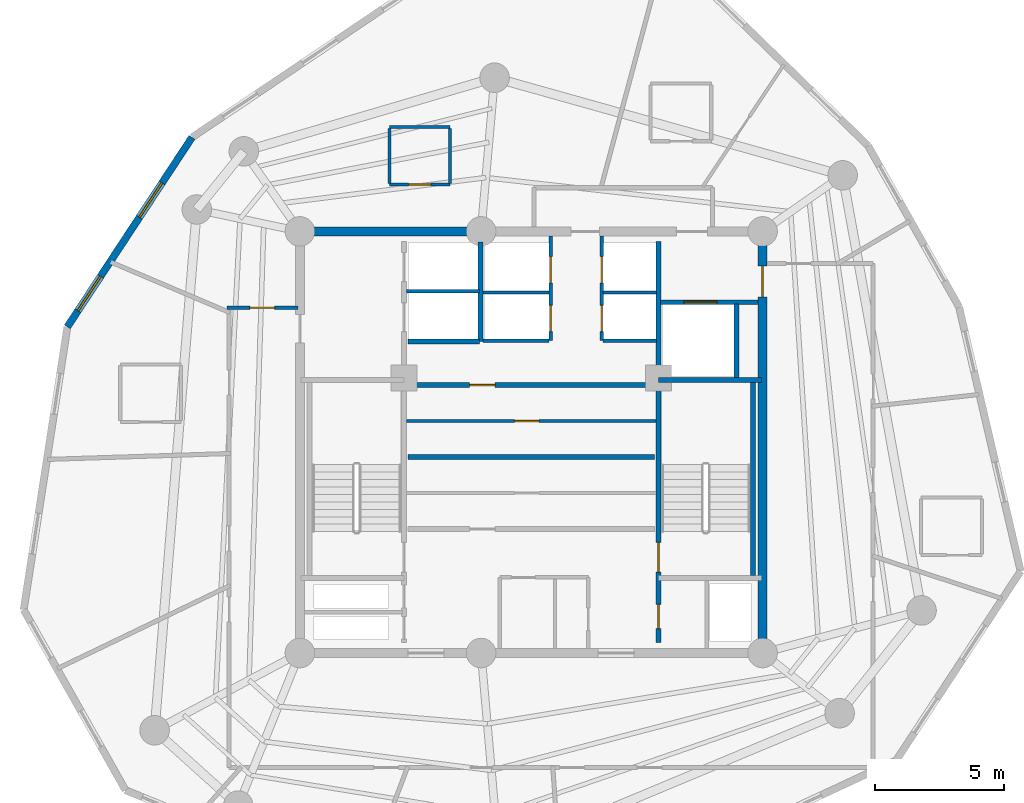
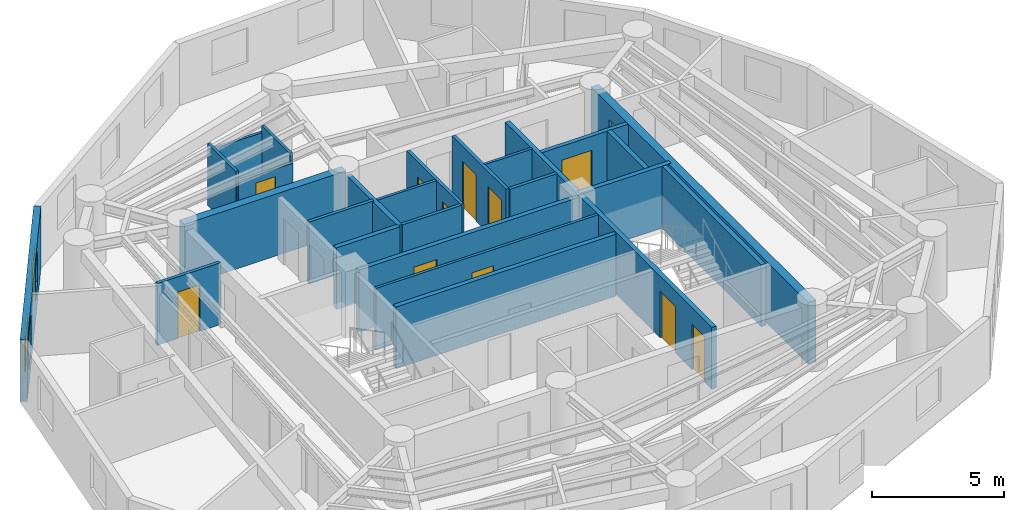
# One storey, part 4 of 7: 25 walls, 12 doors, 2 windows, 14 openings.
"""IFC4 building model written with IfcOpenShell, lengths in metres."""

from ifc_helpers import new_model, si_unit, direction, frame, frame_2d, origin, origin_with_axes, place, context, subcontext, project, spatial, rectangle, extrude, source, transform, mapped, material, layer, layer_set, type_object, element, fill, save


model = new_model("IFC4")

# Units and contexts
model_context = context("Model", 3, precision=1e-05, world=origin(), true_north=direction((0.0, 1.0)))
body_context = subcontext(model_context, "Body", "Model", "MODEL_VIEW")
ifc_project = project(units=[si_unit("LENGTHUNIT", "METRE"), si_unit("AREAUNIT", "SQUARE_METRE"), si_unit("VOLUMEUNIT", "CUBIC_METRE"), si_unit("PLANEANGLEUNIT", "RADIAN"), si_unit("MASSUNIT", "GRAM", prefix="KILO")], contexts=[model_context])

# Site, building, storey
site_placement = place(None, origin())
site = spatial("IfcSite", under=ifc_project, at=site_placement, CompositionType="ELEMENT")
building_placement = place(site_placement, origin())
building = spatial("IfcBuilding", under=site, at=building_placement, Name="Karkom Vertical University and Central Library", CompositionType="ELEMENT")
storey_placement = place(building_placement, frame((0.0, 0.0, 259.60009765625)))
storey = spatial("IfcBuildingStorey", under=building, at=storey_placement, Name="L77", CompositionType="ELEMENT", Elevation=259.60009765625)

# Wall, openings, windows
ifc_material_1 = material(Name="Brick-faced precast concrete C45/55", Category="masonry")
ifc_layer_1 = layer(ifc_material_1, 0.280029296875)
ifc_layer_set_1 = layer_set([ifc_layer_1], Name="Brick-faced precast concrete C45/55")
wall_type_1 = type_object("IfcWallType", Name="ENV-WL-BRK-280", PredefinedType="SOLIDWALL", material=ifc_layer_set_1)
wall_1_placement = place(storey_placement, frame((15.3046875, 38.36083984375, 0.0), z_axis=(0.0, 0.0, 1.0), x_axis=(-0.549584503809, -0.835438132463, 0.0)))
wall_1 = element("IfcWall", 1, at=wall_1_placement, inside=storey, type_object=wall_type_1, Name="Level 77 Brick-Faced Precast Facade Wall 11", PredefinedType="SOLIDWALL", context=body_context, shape_type="SweptSolid", body=[
    extrude(rectangle(XDim=8.82861328125, YDim=0.280029296875, at=frame_2d((4.414306640625, 0.0))), origin(), (0.0, 0.0, 1.0), 2.849853515625),
])
opening_1_placement = place(wall_1_placement, frame((2.12255859375, 0.0, 0.85009765625)))
opening_1 = element("IfcOpeningElement", 2, at=opening_1_placement, cuts=wall_1, Name="Opening WN-10", PredefinedType="OPENING", context=body_context, shape_type="SweptSolid", body=[
    extrude(rectangle(XDim=1.60009765625, YDim=1.60009765625, at=frame_2d((0.800048828125, 0.800048828125))), frame((0.0, 0.14990234375, 0.0), z_axis=(0.0, -1.0, 0.0), x_axis=(1.0, 0.0, 0.0)), (0.0, 0.0, 1.0), 0.300048828125),
])
opening_2_placement = place(wall_1_placement, frame((6.476806640625, 0.0, 0.85009765625)))
opening_2 = element("IfcOpeningElement", 3, at=opening_2_placement, cuts=wall_1, Name="Opening WN-10", PredefinedType="OPENING", context=body_context, shape_type="SweptSolid", body=[
    extrude(rectangle(XDim=1.60009765625, YDim=1.60009765625, at=frame_2d((0.800048828125, 0.800048828125))), frame((0.0, 0.14990234375, 0.0), z_axis=(0.0, -1.0, 0.0), x_axis=(1.0, 0.0, 0.0)), (0.0, 0.0, 1.0), 0.300048828125),
])
ifc_material_2 = material(Name="Aluminium thermal-break frame with solar-control IGU", Category="aluminium")
window_type = type_object("IfcWindowType", Name="ENV-WIN-WN-10", PartitioningType="SINGLE_PANEL", PredefinedType="WINDOW", material=ifc_material_2)
shared_shape_1 = source(origin_with_axes(), body_context, "Body", "SweptSolid", [
    extrude(rectangle(XDim=1.60009765625, YDim=1.60009765625, at=frame_2d((0.800048828125, 0.800048828125))), frame((0.0, 0.030029296875, 0.0), z_axis=(0.0, -1.0, 0.0), x_axis=(1.0, 0.0, 0.0)), (0.0, 0.0, 1.0), 0.06005859375),
])
window_1_placement = place(opening_1_placement, origin())
window_1 = element("IfcWindow", 4, at=window_1_placement, inside=storey, type_object=window_type, Name="Level 77 Punched Window 11.1", OverallHeight=1.60009765625, OverallWidth=1.60009765625, PartitioningType="SINGLE_PANEL", PredefinedType="WINDOW", context=body_context, shape_type="MappedRepresentation", body=[
    mapped(shared_shape_1, transform((0.0, 0.0, 0.0), scale=1.0)),
])
fill(opening_1, window_1)
window_2_placement = place(opening_2_placement, origin())
window_2 = element("IfcWindow", 5, at=window_2_placement, inside=storey, type_object=window_type, Name="Level 77 Punched Window 11.2", OverallHeight=1.60009765625, OverallWidth=1.60009765625, PartitioningType="SINGLE_PANEL", PredefinedType="WINDOW", context=body_context, shape_type="MappedRepresentation", body=[
    mapped(shared_shape_1, transform((0.0, 0.0, 0.0), scale=1.0)),
])
fill(opening_2, window_2)

# Wall, opening, door
ifc_material_3 = material(Name="Moisture-resistant drywall 120mm", Category="gypsum")
ifc_layer_2 = layer(ifc_material_3, 0.1201171875)
ifc_layer_set_2 = layer_set([ifc_layer_2], Name="Moisture-resistant drywall 120mm")
wall_type_2 = type_object("IfcWallType", Name="INT-WL-INT-120F", PredefinedType="PARTITIONING", material=ifc_layer_set_2)
wall_2_placement = place(storey_placement, frame((23.652099609375, 27.320068359375, 0.0), z_axis=(0.0, 0.0, 1.0), x_axis=(1.0, 0.0, 0.0)))
wall_2 = element("IfcWall", 6, at=wall_2_placement, inside=storey, type_object=wall_type_2, Name="Level 77 Interior Partition Wall L77-CW-B2-K3H", PredefinedType="PARTITIONING", context=body_context, shape_type="SweptSolid", body=[
    extrude(rectangle(XDim=9.697509765625, YDim=0.1201171875, at=frame_2d((4.8486328125, 0.0))), origin(), (0.0, 0.0, 1.0), 2.849853515625),
])
opening_3_placement = place(wall_2_placement, frame((4.199951171875, 0.0, 0.0)))
opening_3 = element("IfcOpeningElement", 7, at=opening_3_placement, cuts=wall_2, Name="Opening D-WC1", PredefinedType="OPENING", context=body_context, shape_type="SweptSolid", body=[
    extrude(rectangle(XDim=0.93994140625, YDim=2.10009765625, at=frame_2d((0.469970703125, 1.050048828125))), frame((0.0, 0.070068359375, 0.0), z_axis=(0.0, -1.0, 0.0), x_axis=(1.0, 0.0, 0.0)), (0.0, 0.0, 1.0), 0.14013671875),
])
ifc_material_4 = material(Name="Fire-rated laminate moisture-resistant door", Category="wood")
door_type_1 = type_object("IfcDoorType", Name="INT-DR-WC1", OperationType="NOTDEFINED", PredefinedType="DOOR", material=ifc_material_4)
shared_shape_2 = source(origin_with_axes(), body_context, "Body", "SweptSolid", [
    extrude(rectangle(XDim=0.93994140625, YDim=2.10009765625, at=frame_2d((0.469970703125, 1.050048828125))), frame((0.0, 0.02490234375, 0.0), z_axis=(0.0, -1.0, 0.0), x_axis=(1.0, 0.0, 0.0)), (0.0, 0.0, 1.0), 0.050048828125),
])
door_1_placement = place(opening_3_placement, origin())
door_1 = element("IfcDoor", 8, at=door_1_placement, inside=storey, type_object=door_type_1, Name="Level 77 B2 Core WC Strip Door", OperationType="SINGLE_SWING_RIGHT", OverallHeight=2.10009765625, OverallWidth=0.93994140625, PredefinedType="DOOR", context=body_context, shape_type="MappedRepresentation", body=[
    mapped(shared_shape_2, transform((0.0, 0.0, 0.0), scale=1.0)),
])
fill(opening_3, door_1)

wall_3_placement = place(storey_placement, frame((22.985107421875, 36.51904296875, 0.0), z_axis=(0.0, 0.0, 1.0), x_axis=(1.0, 0.0, 0.0)))
wall_3 = element("IfcWall", 9, at=wall_3_placement, inside=storey, type_object=wall_type_2, Name="Level 77 Interior Partition Wall L77-ENS-49-S", PredefinedType="PARTITIONING", context=body_context, shape_type="SweptSolid", body=[
    extrude(rectangle(XDim=2.35986328125, YDim=0.1201171875, at=frame_2d((1.179931640625, 0.0))), origin(), (0.0, 0.0, 1.0), 2.449951171875),
])
opening_4_placement = place(wall_3_placement, frame((0.75, 0.0, 0.0)))
opening_4 = element("IfcOpeningElement", 10, at=opening_4_placement, cuts=wall_3, Name="Opening D-BATH", PredefinedType="OPENING", context=body_context, shape_type="SweptSolid", body=[
    extrude(rectangle(XDim=0.860107421875, YDim=2.10009765625, at=frame_2d((0.43017578125, 1.050048828125))), frame((0.0, 0.070068359375, 0.0), z_axis=(0.0, -1.0, 0.0), x_axis=(1.0, 0.0, 0.0)), (0.0, 0.0, 1.0), 0.14013671875),
])
ifc_material_5 = material(Name="Moisture-resistant oak door", Category="wood")
door_type_2 = type_object("IfcDoorType", Name="INT-DR-BATH", OperationType="NOTDEFINED", PredefinedType="DOOR", material=ifc_material_5)
shared_shape_3 = source(origin_with_axes(), body_context, "Body", "SweptSolid", [
    extrude(rectangle(XDim=0.860107421875, YDim=2.10009765625, at=frame_2d((0.43017578125, 1.050048828125))), frame((0.0, 0.02490234375, 0.0), z_axis=(0.0, -1.0, 0.0), x_axis=(1.0, 0.0, 0.0)), (0.0, 0.0, 1.0), 0.050048828125),
])
door_2_placement = place(opening_4_placement, origin())
door_2 = element("IfcDoor", 11, at=door_2_placement, inside=storey, type_object=door_type_2, Name="Level 77 En-Suite Bathroom Door 49", OperationType="SINGLE_SWING_LEFT", OverallHeight=2.10009765625, OverallWidth=0.860107421875, PredefinedType="DOOR", context=body_context, shape_type="MappedRepresentation", body=[
    mapped(shared_shape_3, transform((0.0, 0.0, 0.0), scale=1.0)),
])
fill(opening_4, door_2)

# Walls
wall_4_placement = place(storey_placement, frame((25.344970703125, 38.759033203125, 0.0), z_axis=(0.0, 0.0, 1.0), x_axis=(-1.0, 0.0, 0.0)))
element("IfcWall", 12, at=wall_4_placement, inside=storey, type_object=wall_type_2, Name="Level 77 Interior Partition Wall L77-ENS-49-N", PredefinedType="PARTITIONING", context=body_context, shape_type="SweptSolid", body=[
    extrude(rectangle(XDim=2.35986328125, YDim=0.1201171875, at=frame_2d((1.179931640625, 0.0))), origin(), (0.0, 0.0, 1.0), 2.52001953125),
])
for number, where, z_axis, x_axis, name in (
    (13, (25.344970703125, 36.569091796875, 0.0), (0.0, 0.0, 1.0), (0.0, 1.0, 0.0), "Level 77 Interior Partition Wall L77-ENS-49-E"),
    (14, (22.985107421875, 38.708984375, 0.0), (0.0, 0.0, 1.0), (0.0, -1.0, 0.0), "Level 77 Interior Partition Wall L77-ENS-49-W"),
):
    element("IfcWall", number, at=place(storey_placement, frame(where, z_axis=z_axis, x_axis=x_axis)), inside=storey, type_object=wall_type_2, Name=name, PredefinedType="PARTITIONING", context=body_context, shape_type="SweptSolid", body=[
        extrude(rectangle(XDim=2.139892578125, YDim=0.1201171875, at=frame_2d((1.06982421875, 0.0))), origin(), (0.0, 0.0, 1.0), 2.849853515625),
    ])
ifc_layer_3 = layer(ifc_material_3, 0.1201171875)
ifc_layer_set_3 = layer_set([ifc_layer_3], Name="Moisture-resistant drywall 120mm")
wall_type_3 = type_object("IfcWallType", Name="INT-WL-INT-120H", PredefinedType="PARTITIONING", material=ifc_layer_set_3)
wall_5_placement = place(storey_placement, frame((26.6201171875, 32.320068359375, 0.0), z_axis=(0.0, 0.0, 1.0), x_axis=(1.0, 0.0, 0.0)))
element("IfcWall", 15, at=wall_5_placement, inside=storey, type_object=wall_type_3, Name="Level 77 Interior Partition Wall L77-CW-PH-MW", PredefinedType="PARTITIONING", context=body_context, shape_type="SweptSolid", body=[
    extrude(rectangle(XDim=2.579833984375, YDim=0.1201171875, at=frame_2d((1.2900390625, 0.0))), origin(), (0.0, 0.0, 1.0), 2.849853515625),
])
wall_6_placement = place(storey_placement, frame((31.300048828125, 32.320068359375, 0.0), z_axis=(0.0, 0.0, 1.0), x_axis=(1.0, 0.0, 0.0)))
element("IfcWall", 16, at=wall_6_placement, inside=storey, type_object=wall_type_3, Name="Level 77 Interior Partition Wall L77-CW-PH-ME", PredefinedType="PARTITIONING", context=body_context, shape_type="SweptSolid", body=[
    extrude(rectangle(XDim=2.074951171875, YDim=0.1201171875, at=frame_2d((1.03759765625, 0.0))), origin(), (0.0, 0.0, 1.0), 2.849853515625),
])

# Wall, opening, door
ifc_material_6 = material(Name="Metal-stud gypsum partition 140mm", Category="gypsum")
ifc_layer_4 = layer(ifc_material_6, 0.139892578125)
ifc_layer_set_4 = layer_set([ifc_layer_4], Name="Metal-stud gypsum partition 140mm")
wall_type_4 = type_object("IfcWallType", Name="INT-WL-SUB-140", PredefinedType="PARTITIONING", material=ifc_layer_set_4)
wall_7_placement = place(storey_placement, frame((19.419921875, 31.72998046875, 0.0), z_axis=(0.0, 0.0, 1.0), x_axis=(-1.0, 0.0, 0.0)))
wall_7 = element("IfcWall", 17, at=wall_7_placement, inside=storey, type_object=wall_type_4, Name="Level 77 Interior Partition Wall L77-CWALL-418", PredefinedType="PARTITIONING", context=body_context, shape_type="SweptSolid", body=[
    extrude(rectangle(XDim=2.75, YDim=0.139892578125, at=frame_2d((1.375, 0.0))), origin(), (0.0, 0.0, 1.0), 2.849853515625),
])
opening_5_placement = place(wall_7_placement, frame((0.89990234375, 0.0, 0.0)))
opening_5 = element("IfcOpeningElement", 18, at=opening_5_placement, cuts=wall_7, Name="Opening FD-RM2", PredefinedType="OPENING", context=body_context, shape_type="SweptSolid", body=[
    extrude(rectangle(XDim=0.9599609375, YDim=2.14990234375, at=frame_2d((0.47998046875, 1.074951171875))), frame((0.0, 0.080078125, 0.0), z_axis=(0.0, -1.0, 0.0), x_axis=(1.0, 0.0, 0.0)), (0.0, 0.0, 1.0), 0.159912109375),
])
ifc_material_7 = material(Name="Fire-rated oak veneer door", Category="wood")
door_type_3 = type_object("IfcDoorType", Name="INT-DR-FRM2", OperationType="NOTDEFINED", PredefinedType="DOOR", material=ifc_material_7)
shared_shape_4 = source(origin_with_axes(), body_context, "Body", "SweptSolid", [
    extrude(rectangle(XDim=0.9599609375, YDim=2.14990234375, at=frame_2d((0.47998046875, 1.074951171875))), frame((0.0, 0.02490234375, 0.0), z_axis=(0.0, -1.0, 0.0), x_axis=(1.0, 0.0, 0.0)), (0.0, 0.0, 1.0), 0.050048828125),
])
door_3_placement = place(opening_5_placement, origin())
door_3 = element("IfcDoor", 19, at=door_3_placement, inside=storey, type_object=door_type_3, Name="Level 77 Room Entry Door 418", OperationType="SINGLE_SWING_RIGHT", OverallHeight=2.14990234375, OverallWidth=0.9599609375, PredefinedType="DOOR", context=body_context, shape_type="MappedRepresentation", body=[
    mapped(shared_shape_4, transform((0.0, 0.0, 0.0), scale=1.0)),
])
fill(opening_5, door_3)

# Wall, openings, doors
ifc_layer_5 = layer(ifc_material_6, 0.139892578125)
ifc_layer_set_5 = layer_set([ifc_layer_5], Name="Metal-stud gypsum partition 140mm")
wall_type_5 = type_object("IfcWallType", Name="INT-WL-SUB-140H", PredefinedType="PARTITIONING", material=ifc_layer_set_5)
wall_8_placement = place(storey_placement, frame((29.260009765625, 30.449951171875, 0.0), z_axis=(0.0, 0.0, 1.0), x_axis=(0.0, 1.0, 0.0)))
wall_8 = element("IfcWall", 20, at=wall_8_placement, inside=storey, type_object=wall_type_5, Name="Level 77 Interior Partition Wall L77-CW-PH-W", PredefinedType="PARTITIONING", context=body_context, shape_type="SweptSolid", body=[
    extrude(rectangle(XDim=4.068115234375, YDim=0.139892578125, at=frame_2d((2.0341796875, 0.0))), origin(), (0.0, 0.0, 1.0), 2.849853515625),
])
opening_6_placement = place(wall_8_placement, frame((0.35009765625, 0.0, 0.0)))
opening_6 = element("IfcOpeningElement", 21, at=opening_6_placement, cuts=wall_8, Name="Opening LD-PH", PredefinedType="OPENING", context=body_context, shape_type="SweptSolid", body=[
    extrude(rectangle(XDim=1.02001953125, YDim=2.14990234375, at=frame_2d((0.510009765625, 1.074951171875))), frame((0.0, 0.080078125, 0.0), z_axis=(0.0, -1.0, 0.0), x_axis=(1.0, 0.0, 0.0)), (0.0, 0.0, 1.0), 0.159912109375),
])
opening_7_placement = place(wall_8_placement, frame((2.25, 0.0, 0.0)))
opening_7 = element("IfcOpeningElement", 22, at=opening_7_placement, cuts=wall_8, Name="Opening LD-PH", PredefinedType="OPENING", context=body_context, shape_type="SweptSolid", body=[
    extrude(rectangle(XDim=1.02001953125, YDim=2.14990234375, at=frame_2d((0.510009765625, 1.074951171875))), frame((0.0, 0.080078125, 0.0), z_axis=(0.0, -1.0, 0.0), x_axis=(1.0, 0.0, 0.0)), (0.0, 0.0, 1.0), 0.159912109375),
])
ifc_material_8 = material(Name="Brushed stainless-steel landing door", Category="steel")
door_type_4 = type_object("IfcDoorType", Name="INT-DR-LD-PH", OperationType="SLIDING_TO_LEFT", PredefinedType="DOOR", material=ifc_material_8)
shared_shape_5 = source(origin_with_axes(), body_context, "Body", "SweptSolid", [
    extrude(rectangle(XDim=1.02001953125, YDim=2.14990234375, at=frame_2d((0.510009765625, 1.074951171875))), frame((0.0, 0.02490234375, 0.0), z_axis=(0.0, -1.0, 0.0), x_axis=(1.0, 0.0, 0.0)), (0.0, 0.0, 1.0), 0.050048828125),
])
door_4_placement = place(opening_6_placement, origin())
door_4 = element("IfcDoor", 23, at=door_4_placement, inside=storey, type_object=door_type_4, Name="Level 77 Lift PH-1 Landing Door", OperationType="SLIDING_TO_LEFT", OverallHeight=2.14990234375, OverallWidth=1.02001953125, PredefinedType="DOOR", context=body_context, shape_type="MappedRepresentation", body=[
    mapped(shared_shape_5, transform((0.0, 0.0, 0.0), scale=1.0)),
])
fill(opening_6, door_4)
door_5_placement = place(opening_7_placement, origin())
door_5 = element("IfcDoor", 24, at=door_5_placement, inside=storey, type_object=door_type_4, Name="Level 77 Lift PH-2 Landing Door", OperationType="SLIDING_TO_LEFT", OverallHeight=2.14990234375, OverallWidth=1.02001953125, PredefinedType="DOOR", context=body_context, shape_type="MappedRepresentation", body=[
    mapped(shared_shape_5, transform((0.0, 0.0, 0.0), scale=1.0)),
])
fill(opening_7, door_5)

wall_9_placement = place(storey_placement, frame((31.239990234375, 30.449951171875, 0.0), z_axis=(0.0, 0.0, 1.0), x_axis=(0.0, 1.0, 0.0)))
wall_9 = element("IfcWall", 25, at=wall_9_placement, inside=storey, type_object=wall_type_5, Name="Level 77 Interior Partition Wall L77-CW-PH-E", PredefinedType="PARTITIONING", context=body_context, shape_type="SweptSolid", body=[
    extrude(rectangle(XDim=4.068115234375, YDim=0.139892578125, at=frame_2d((2.0341796875, 0.0))), origin(), (0.0, 0.0, 1.0), 2.849853515625),
])
opening_8_placement = place(wall_9_placement, frame((0.35009765625, 0.0, 0.0)))
opening_8 = element("IfcOpeningElement", 26, at=opening_8_placement, cuts=wall_9, Name="Opening LD-PH", PredefinedType="OPENING", context=body_context, shape_type="SweptSolid", body=[
    extrude(rectangle(XDim=1.02001953125, YDim=2.14990234375, at=frame_2d((0.510009765625, 1.074951171875))), frame((0.0, 0.080078125, 0.0), z_axis=(0.0, -1.0, 0.0), x_axis=(1.0, 0.0, 0.0)), (0.0, 0.0, 1.0), 0.159912109375),
])
opening_9_placement = place(wall_9_placement, frame((2.25, 0.0, 0.0)))
opening_9 = element("IfcOpeningElement", 27, at=opening_9_placement, cuts=wall_9, Name="Opening LD-PH", PredefinedType="OPENING", context=body_context, shape_type="SweptSolid", body=[
    extrude(rectangle(XDim=1.02001953125, YDim=2.14990234375, at=frame_2d((0.510009765625, 1.074951171875))), frame((0.0, 0.080078125, 0.0), z_axis=(0.0, -1.0, 0.0), x_axis=(1.0, 0.0, 0.0)), (0.0, 0.0, 1.0), 0.159912109375),
])
door_6_placement = place(opening_8_placement, origin())
door_6 = element("IfcDoor", 28, at=door_6_placement, inside=storey, type_object=door_type_4, Name="Level 77 Lift PH-3 Landing Door", OperationType="SLIDING_TO_LEFT", OverallHeight=2.14990234375, OverallWidth=1.02001953125, PredefinedType="DOOR", context=body_context, shape_type="MappedRepresentation", body=[
    mapped(shared_shape_5, transform((0.0, 0.0, 0.0), scale=1.0)),
])
fill(opening_8, door_6)
door_7_placement = place(opening_9_placement, origin())
door_7 = element("IfcDoor", 29, at=door_7_placement, inside=storey, type_object=door_type_4, Name="Level 77 Lift PH-4 Landing Door", OperationType="SLIDING_TO_LEFT", OverallHeight=2.14990234375, OverallWidth=1.02001953125, PredefinedType="DOOR", context=body_context, shape_type="MappedRepresentation", body=[
    mapped(shared_shape_5, transform((0.0, 0.0, 0.0), scale=1.0)),
])
fill(opening_9, door_7)

# Walls
wall_10_placement = place(storey_placement, frame((26.6201171875, 30.449951171875, 0.0), z_axis=(0.0, 0.0, 1.0), x_axis=(1.0, 0.0, 0.0)))
element("IfcWall", 30, at=wall_10_placement, inside=storey, type_object=wall_type_5, Name="Level 77 Interior Partition Wall L77-CW-PH-S1", PredefinedType="PARTITIONING", context=body_context, shape_type="SweptSolid", body=[
    extrude(rectangle(XDim=2.579833984375, YDim=0.139892578125, at=frame_2d((1.2900390625, 0.0))), origin(), (0.0, 0.0, 1.0), 2.849853515625),
])
wall_11_placement = place(storey_placement, frame((31.300048828125, 30.449951171875, 0.0), z_axis=(0.0, 0.0, 1.0), x_axis=(1.0, 0.0, 0.0)))
element("IfcWall", 31, at=wall_11_placement, inside=storey, type_object=wall_type_5, Name="Level 77 Interior Partition Wall L77-CW-PH-S2", PredefinedType="PARTITIONING", context=body_context, shape_type="SweptSolid", body=[
    extrude(rectangle(XDim=2.074951171875, YDim=0.139892578125, at=frame_2d((1.03759765625, 0.0))), origin(), (0.0, 0.0, 1.0), 2.849853515625),
])
ifc_layer_6 = layer(ifc_material_6, 0.139892578125)
ifc_layer_set_6 = layer_set([ifc_layer_6], Name="Metal-stud gypsum partition 140mm")
wall_type_6 = type_object("IfcWallType", Name="INT-WL-SUB-140X", PredefinedType="PARTITIONING", material=ifc_layer_set_6)
wall_12_placement = place(storey_placement, frame((23.652099609375, 32.3701171875, 0.0), z_axis=(0.0, 0.0, 1.0), x_axis=(1.0, 0.0, 0.0)))
element("IfcWall", 32, at=wall_12_placement, inside=storey, type_object=wall_type_6, Name="Level 77 Interior Partition Wall L77-CW-FFL-M", PredefinedType="PARTITIONING", context=body_context, shape_type="SweptSolid", body=[
    extrude(rectangle(XDim=2.827880859375, YDim=0.139892578125, at=frame_2d((1.4140625, 0.0))), origin(), (0.0, 0.0, 1.0), 2.849853515625),
])

# Wall, opening, door
ifc_material_9 = material(Name="Twin-stud acoustic drywall 180mm", Category="gypsum")
ifc_layer_7 = layer(ifc_material_9, 0.179931640625)
ifc_layer_set_7 = layer_set([ifc_layer_7], Name="Twin-stud acoustic drywall 180mm")
wall_type_7 = type_object("IfcWallType", Name="INT-WL-TEN-180F", PredefinedType="PARTITIONING", material=ifc_layer_set_7)
wall_13_placement = place(storey_placement, frame((33.534912109375, 31.949951171875, 0.0), z_axis=(0.0, 0.0, 1.0), x_axis=(1.0, 0.0, 0.0)))
wall_13 = element("IfcWall", 33, at=wall_13_placement, inside=storey, type_object=wall_type_7, Name="Level 77 Interior Partition Wall L77-CW-SVL-N", PredefinedType="PARTITIONING", context=body_context, shape_type="SweptSolid", body=[
    extrude(rectangle(XDim=3.783935546875, YDim=0.179931640625, at=frame_2d((1.89208984375, 0.0))), origin(), (0.0, 0.0, 1.0), 2.849853515625),
])
opening_10_placement = place(wall_13_placement, frame((0.89990234375, 0.0, 0.0)))
opening_10 = element("IfcOpeningElement", 34, at=opening_10_placement, cuts=wall_13, Name="Opening LD-SV1", PredefinedType="OPENING", context=body_context, shape_type="SweptSolid", body=[
    extrude(rectangle(XDim=1.300048828125, YDim=2.199951171875, at=frame_2d((0.64990234375, 1.10009765625))), frame((0.0, 0.10009765625, 0.0), z_axis=(0.0, -1.0, 0.0), x_axis=(1.0, 0.0, 0.0)), (0.0, 0.0, 1.0), 0.199951171875),
])
door_type_5 = type_object("IfcDoorType", Name="INT-DR-LD-SV1", OperationType="SLIDING_TO_LEFT", PredefinedType="DOOR", material=ifc_material_8)
shared_shape_6 = source(origin_with_axes(), body_context, "Body", "SweptSolid", [
    extrude(rectangle(XDim=1.300048828125, YDim=2.199951171875, at=frame_2d((0.64990234375, 1.10009765625))), frame((0.0, 0.02490234375, 0.0), z_axis=(0.0, -1.0, 0.0), x_axis=(1.0, 0.0, 0.0)), (0.0, 0.0, 1.0), 0.050048828125),
])
door_8_placement = place(opening_10_placement, origin())
door_8 = element("IfcDoor", 35, at=door_8_placement, inside=storey, type_object=door_type_5, Name="Level 77 Service Lift Landing Door LD-SV1", OperationType="SLIDING_TO_LEFT", OverallHeight=2.199951171875, OverallWidth=1.300048828125, PredefinedType="DOOR", context=body_context, shape_type="MappedRepresentation", body=[
    mapped(shared_shape_6, transform((0.0, 0.0, 0.0), scale=1.0)),
])
fill(opening_10, door_8)

ifc_material_10 = material(Name="Concrete C45/55", Category="concrete")
ifc_layer_8 = layer(ifc_material_10, 0.35009765625)
ifc_layer_set_8 = layer_set([ifc_layer_8], Name="Concrete C45/55")
wall_type_8 = type_object("IfcWallType", Name="STR-WL-CW-350", PredefinedType="SHEAR", material=ifc_layer_set_8)
wall_14_placement = place(storey_placement, frame((37.5, 18.300048828125, 0.0), z_axis=(0.0, 0.0, 1.0), x_axis=(0.0, 1.0, 0.0)))
wall_14 = element("IfcWall", 36, at=wall_14_placement, inside=storey, type_object=wall_type_8, Name="Level 77 Central Core Shear Wall EW", PredefinedType="SHEAR", context=body_context, shape_type="SweptSolid", body=[
    extrude(rectangle(XDim=16.39990234375, YDim=0.35009765625, at=frame_2d((8.199951171875, 0.0))), origin(), (0.0, 0.0, 1.0), 2.849853515625),
])
opening_11_placement = place(wall_14_placement, frame((13.85009765625, 0.0, 0.0)))
opening_11 = element("IfcOpeningElement", 37, at=opening_11_placement, cuts=wall_14, Name="Opening FD-SUB1", PredefinedType="OPENING", context=body_context, shape_type="SweptSolid", body=[
    extrude(rectangle(XDim=1.199951171875, YDim=2.14990234375, at=frame_2d((0.60009765625, 1.074951171875))), frame((0.0, 0.18505859375, 0.0), z_axis=(0.0, -1.0, 0.0), x_axis=(1.0, 0.0, 0.0)), (0.0, 0.0, 1.0), 0.3701171875),
])
ifc_material_11 = material(Name="Painted steel fire door", Category="steel")
door_type_6 = type_object("IfcDoorType", Name="INT-DR-SUB1", OperationType="NOTDEFINED", PredefinedType="DOOR", material=ifc_material_11)
shared_shape_7 = source(origin_with_axes(), body_context, "Body", "SweptSolid", [
    extrude(rectangle(XDim=1.199951171875, YDim=2.14990234375, at=frame_2d((0.60009765625, 1.074951171875))), frame((0.0, 0.02490234375, 0.0), z_axis=(0.0, -1.0, 0.0), x_axis=(1.0, 0.0, 0.0)), (0.0, 0.0, 1.0), 0.050048828125),
])
door_9_placement = place(opening_11_placement, origin())
door_9 = element("IfcDoor", 38, at=door_9_placement, inside=storey, type_object=door_type_6, Name="Level 77 East Corridor Service Lobby Door", OperationType="SINGLE_SWING_RIGHT", OverallHeight=2.14990234375, OverallWidth=1.199951171875, PredefinedType="DOOR", context=body_context, shape_type="MappedRepresentation", body=[
    mapped(shared_shape_7, transform((0.0, 0.0, 0.0), scale=1.0)),
])
fill(opening_11, door_9)

# Wall
wall_15_placement = place(storey_placement, frame((26.550048828125, 34.699951171875, 0.0), z_axis=(0.0, 0.0, 1.0), x_axis=(-1.0, 0.0, 0.0)))
element("IfcWall", 39, at=wall_15_placement, inside=storey, type_object=wall_type_8, Name="Level 77 Central Core Shear Wall NW2", PredefinedType="SHEAR", context=body_context, shape_type="SweptSolid", body=[
    extrude(rectangle(XDim=7.050048828125, YDim=0.35009765625, at=frame_2d((3.52490234375, 0.0))), origin(), (0.0, 0.0, 1.0), 2.849853515625),
])

# Wall, openings, doors
ifc_layer_9 = layer(ifc_material_10, 0.199951171875)
ifc_layer_set_9 = layer_set([ifc_layer_9], Name="Concrete C45/55")
wall_type_9 = type_object("IfcWallType", Name="STR-WL-ST-200", PredefinedType="SHEAR", material=ifc_layer_set_9)
wall_16_placement = place(storey_placement, frame((33.455078125, 18.699951171875, 0.0), z_axis=(0.0, 0.0, 1.0), x_axis=(0.0, 1.0, 0.0)))
wall_16 = element("IfcWall", 40, at=wall_16_placement, inside=storey, type_object=wall_type_9, Name="Level 77 Core Shaft Wall L77-CW-ST2-W", PredefinedType="SHEAR", context=body_context, shape_type="SweptSolid", body=[
    extrude(rectangle(XDim=15.60009765625, YDim=0.199951171875, at=frame_2d((7.800048828125, 0.0))), origin(), (0.0, 0.0, 1.0), 2.849853515625),
])
opening_12_placement = place(wall_16_placement, frame((2.75, 0.0, 0.0)))
opening_12 = element("IfcOpeningElement", 41, at=opening_12_placement, cuts=wall_16, Name="Opening FD-ST1", PredefinedType="OPENING", context=body_context, shape_type="SweptSolid", body=[
    extrude(rectangle(XDim=1.14990234375, YDim=2.14990234375, at=frame_2d((0.574951171875, 1.074951171875))), frame((0.0, 0.10986328125, 0.0), z_axis=(0.0, -1.0, 0.0), x_axis=(1.0, 0.0, 0.0)), (0.0, 0.0, 1.0), 0.219970703125),
])
opening_13_placement = place(wall_16_placement, frame((0.550048828125, 0.0, 0.0)))
opening_13 = element("IfcOpeningElement", 42, at=opening_13_placement, cuts=wall_16, Name="Opening D-WC1", PredefinedType="OPENING", context=body_context, shape_type="SweptSolid", body=[
    extrude(rectangle(XDim=0.93994140625, YDim=2.10009765625, at=frame_2d((0.469970703125, 1.050048828125))), frame((0.0, 0.10986328125, 0.0), z_axis=(0.0, -1.0, 0.0), x_axis=(1.0, 0.0, 0.0)), (0.0, 0.0, 1.0), 0.219970703125),
])
ifc_material_12 = material(Name="Painted steel acoustic fire door", Category="steel")
door_type_7 = type_object("IfcDoorType", Name="INT-DR-ST1", OperationType="NOTDEFINED", PredefinedType="DOOR", material=ifc_material_12)
shared_shape_8 = source(origin_with_axes(), body_context, "Body", "SweptSolid", [
    extrude(rectangle(XDim=1.14990234375, YDim=2.14990234375, at=frame_2d((0.574951171875, 1.074951171875))), frame((0.0, 0.02490234375, 0.0), z_axis=(0.0, -1.0, 0.0), x_axis=(1.0, 0.0, 0.0)), (0.0, 0.0, 1.0), 0.050048828125),
])
door_10_placement = place(opening_12_placement, origin())
door_10 = element("IfcDoor", 43, at=door_10_placement, inside=storey, type_object=door_type_7, Name="Level 77 Stair ST-2 Fire Door", OperationType="SINGLE_SWING_RIGHT", OverallHeight=2.14990234375, OverallWidth=1.14990234375, PredefinedType="DOOR", context=body_context, shape_type="MappedRepresentation", body=[
    mapped(shared_shape_8, transform((0.0, 0.0, 0.0), scale=1.0)),
])
fill(opening_12, door_10)
door_11_placement = place(opening_13_placement, origin())
door_11 = element("IfcDoor", 44, at=door_11_placement, inside=storey, type_object=door_type_1, Name="Level 77 Accessible WC Door", OperationType="SINGLE_SWING_RIGHT", OverallHeight=2.10009765625, OverallWidth=0.93994140625, PredefinedType="DOOR", context=body_context, shape_type="MappedRepresentation", body=[
    mapped(shared_shape_2, transform((0.0, 0.0, 0.0), scale=1.0)),
])
fill(opening_13, door_11)

# Wall
wall_17_placement = place(storey_placement, frame((23.699951171875, 25.919921875, 0.0), z_axis=(0.0, 0.0, 1.0), x_axis=(1.0, 0.0, 0.0)))
element("IfcWall", 45, at=wall_17_placement, inside=storey, type_object=wall_type_9, Name="Level 77 Core Shaft Wall L77-CW-B1-N", PredefinedType="SHEAR", context=body_context, shape_type="SweptSolid", body=[
    extrude(rectangle(XDim=9.60009765625, YDim=0.199951171875, at=frame_2d((4.800048828125, 0.0))), origin(), (0.0, 0.0, 1.0), 2.849853515625),
])

# Wall, opening, door
wall_18_placement = place(storey_placement, frame((23.699951171875, 28.719970703125, 0.0), z_axis=(0.0, 0.0, 1.0), x_axis=(1.0, 0.0, 0.0)))
wall_18 = element("IfcWall", 46, at=wall_18_placement, inside=storey, type_object=wall_type_9, Name="Level 77 Core Shaft Wall L77-CW-B2-N", PredefinedType="SHEAR", context=body_context, shape_type="SweptSolid", body=[
    extrude(rectangle(XDim=9.60009765625, YDim=0.199951171875, at=frame_2d((4.800048828125, 0.0))), origin(), (0.0, 0.0, 1.0), 2.849853515625),
])
opening_14_placement = place(wall_18_placement, frame((2.39990234375, 0.0, 0.0)))
opening_14 = element("IfcOpeningElement", 47, at=opening_14_placement, cuts=wall_18, Name="Opening D-STR1", PredefinedType="OPENING", context=body_context, shape_type="SweptSolid", body=[
    extrude(rectangle(XDim=1.0, YDim=2.14990234375, at=frame_2d((0.5, 1.074951171875))), frame((0.0, 0.10986328125, 0.0), z_axis=(0.0, -1.0, 0.0), x_axis=(1.0, 0.0, 0.0)), (0.0, 0.0, 1.0), 0.219970703125),
])
ifc_material_13 = material(Name="Solid-core hardwood fire door", Category="wood")
door_type_8 = type_object("IfcDoorType", Name="INT-DR-STR1", OperationType="NOTDEFINED", PredefinedType="DOOR", material=ifc_material_13)
shared_shape_9 = source(origin_with_axes(), body_context, "Body", "SweptSolid", [
    extrude(rectangle(XDim=1.0, YDim=2.14990234375, at=frame_2d((0.5, 1.074951171875))), frame((0.0, 0.02490234375, 0.0), z_axis=(0.0, -1.0, 0.0), x_axis=(1.0, 0.0, 0.0)), (0.0, 0.0, 1.0), 0.050048828125),
])
door_12_placement = place(opening_14_placement, origin())
door_12 = element("IfcDoor", 48, at=door_12_placement, inside=storey, type_object=door_type_8, Name="Level 77 B2 Archive Strip Door", OperationType="SINGLE_SWING_LEFT", OverallHeight=2.14990234375, OverallWidth=1.0, PredefinedType="DOOR", context=body_context, shape_type="MappedRepresentation", body=[
    mapped(shared_shape_9, transform((0.0, 0.0, 0.0), scale=1.0)),
])
fill(opening_14, door_12)

# Walls
wall_19_placement = place(storey_placement, frame((37.125, 21.320068359375, 0.0), z_axis=(0.0, 0.0, 1.0), x_axis=(0.0, 1.0, 0.0)))
element("IfcWall", 49, at=wall_19_placement, inside=storey, type_object=wall_type_9, Name="Level 77 Core Shaft Wall L77-CW-ST2-E", PredefinedType="SHEAR", context=body_context, shape_type="SweptSolid", body=[
    extrude(rectangle(XDim=7.5, YDim=0.199951171875, at=frame_2d((3.75, 0.0))), origin(), (0.0, 0.0, 1.0), 2.849853515625),
])
wall_20_placement = place(storey_placement, frame((33.455078125, 28.925048828125, 0.0), z_axis=(0.0, 0.0, 1.0), x_axis=(1.0, 0.0, 0.0)))
element("IfcWall", 50, at=wall_20_placement, inside=storey, type_object=wall_type_9, Name="Level 77 Core Shaft Wall L77-CW-ST2-N", PredefinedType="SHEAR", context=body_context, shape_type="SweptSolid", body=[
    extrude(rectangle(XDim=3.994873046875, YDim=0.199951171875, at=frame_2d((1.99755859375, 0.0))), origin(), (0.0, 0.0, 1.0), 2.849853515625),
])
wall_21_placement = place(storey_placement, frame((26.52001953125, 30.419921875, 0.0), z_axis=(0.0, 0.0, 1.0), x_axis=(0.0, 1.0, 0.0)))
element("IfcWall", 51, at=wall_21_placement, inside=storey, type_object=wall_type_9, Name="Level 77 Core Shaft Wall L77-CW-FFL-E", PredefinedType="SHEAR", context=body_context, shape_type="SweptSolid", body=[
    extrude(rectangle(XDim=3.860107421875, YDim=0.199951171875, at=frame_2d((1.93017578125, 0.0))), origin(), (0.0, 0.0, 1.0), 2.849853515625),
])
wall_22_placement = place(storey_placement, frame((36.47998046875, 29.02001953125, 0.0), z_axis=(0.0, 0.0, 1.0), x_axis=(0.0, 1.0, 0.0)))
element("IfcWall", 52, at=wall_22_placement, inside=storey, type_object=wall_type_9, Name="Level 77 Core Shaft Wall L77-CW-SVL-E", PredefinedType="SHEAR", context=body_context, shape_type="SweptSolid", body=[
    extrude(rectangle(XDim=2.85986328125, YDim=0.199951171875, at=frame_2d((1.429931640625, 0.0))), origin(), (0.0, 0.0, 1.0), 2.849853515625),
])
wall_23_placement = place(storey_placement, frame((23.699951171875, 30.419921875, 0.0), z_axis=(0.0, 0.0, 1.0), x_axis=(1.0, 0.0, 0.0)))
element("IfcWall", 53, at=wall_23_placement, inside=storey, type_object=wall_type_9, Name="Level 77 Core Shaft Wall L77-CW-FFL-S", PredefinedType="SHEAR", context=body_context, shape_type="SweptSolid", body=[
    extrude(rectangle(XDim=2.780029296875, YDim=0.199951171875, at=frame_2d((1.39013671875, 0.0))), origin(), (0.0, 0.0, 1.0), 2.849853515625),
])

save(model, "model.ifc")
